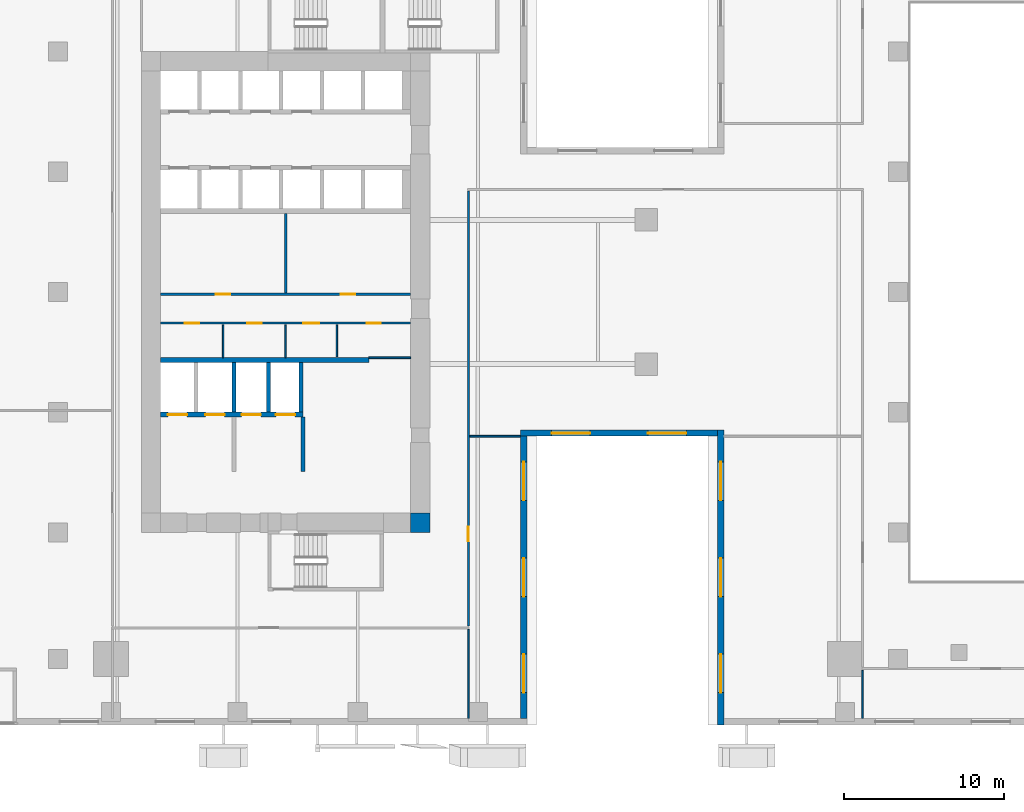
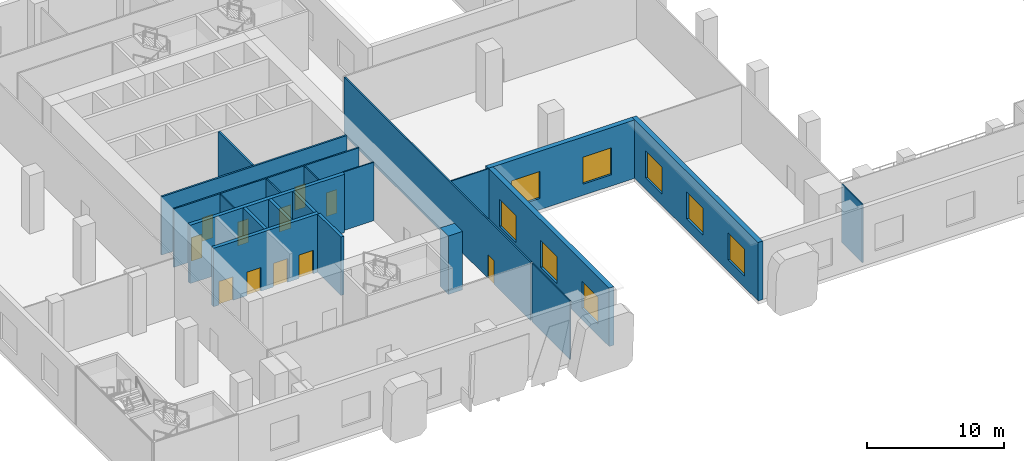
# One storey, part 11 of 23: 21 walls, 11 doors, 8 windows, 19 openings.
"""IFC4 building model written with IfcOpenShell, lengths in metres."""

import ifcopenshell
import ifcopenshell.guid

model = None  # the IFC model being written
_history = None  # IfcOwnerHistory: only IFC2X3 demands one
_inside = {}  # id of a spatial element -> (the spatial element, [elements in it])
_under = {}  # id of a project, library or spatial element -> (it, [spatial elements below it])
_declared = {}  # id of a project -> (the project, [libraries it declares])
_typed = {}  # id of a type object -> (the type object, [elements of that type])
_made_of = {}  # id of a material, layer set ... -> (it, [elements and type objects made of it])


def new_model(schema):
    """Start an empty IFC model of exactly this schema.

    Asked for "IFC4X3", IfcOpenShell would pick the latest addendum, in which some entities
    have other attributes; the version numbers below select the first issue.
    IFC2X3 requires an IfcOwnerHistory on every rooted entity: one is made here for all.
    """
    global model, _history
    if schema == "IFC4X3":
        model = ifcopenshell.file(schema_version=(4, 3, 0, 0))
    else:
        model = ifcopenshell.file(schema=schema)
    _inside.clear()
    _under.clear()
    _declared.clear()
    _typed.clear()
    _made_of.clear()
    _history = None
    if model.schema == "IFC2X3":
        org = make("IfcOrganization", Name="unknown")
        user = make(
            "IfcPersonAndOrganization",
            ThePerson=make("IfcPerson", FamilyName="unknown"),
            TheOrganization=org,
        )
        app = make(
            "IfcApplication",
            ApplicationDeveloper=org,
            Version="unknown",
            ApplicationFullName="unknown",
            ApplicationIdentifier="unknown",
        )
        _history = make(
            "IfcOwnerHistory",
            OwningUser=user,
            OwningApplication=app,
            ChangeAction="ADDED",
            CreationDate=0,
        )
    return model


def make(cls, **values):
    """One entity of the class cls with the attributes given. An attribute that is None is left unset."""
    return model.create_entity(
        cls, **{name: value for name, value in values.items() if value is not None}
    )


def rooted(cls, **values):
    """An entity with a GlobalId (a new one), such as an element, a storey or a relation."""
    return make(cls, GlobalId=ifcopenshell.guid.new(), OwnerHistory=_history, **values)


def si_unit(unit_type, name, prefix=None):
    """IfcSIUnit, for example si_unit("LENGTHUNIT", "METRE", prefix="MILLI")."""
    return make("IfcSIUnit", UnitType=unit_type, Prefix=prefix, Name=name)


def assignment(units):
    """IfcUnitAssignment: the units of a project."""
    return None if units is None else make("IfcUnitAssignment", Units=units)


def point(xyz):
    """IfcCartesianPoint."""
    return None if xyz is None else make("IfcCartesianPoint", Coordinates=xyz)


def direction(xyz):
    """IfcDirection."""
    return None if xyz is None else make("IfcDirection", DirectionRatios=xyz)


def frame(location, z_axis=None, x_axis=None):
    """IfcAxis2Placement3D, a coordinate frame: its origin and axes. An axis left out is left unset."""
    return make(
        "IfcAxis2Placement3D",
        Location=point(location),
        Axis=direction(z_axis),
        RefDirection=direction(x_axis),
    )


def frame_2d(location, x_axis=None):
    """IfcAxis2Placement2D, a coordinate frame in the plane: its origin and x axis."""
    return make(
        "IfcAxis2Placement2D", Location=point(location), RefDirection=direction(x_axis)
    )


def origin():
    """The frame at (0, 0, 0) with its axes left unset."""
    return frame((0.0, 0.0, 0.0))


def place(relative_to, where):
    """IfcLocalPlacement: puts the frame where relative to a parent placement (None: the world)."""
    return make(
        "IfcLocalPlacement", PlacementRelTo=relative_to, RelativePlacement=where
    )


def context(
    kind, dimensions, precision=None, world=None, true_north=None, identifier=None
):
    """IfcGeometricRepresentationContext, for example the 3D "Model" context."""
    return make(
        "IfcGeometricRepresentationContext",
        ContextIdentifier=identifier,
        ContextType=kind,
        CoordinateSpaceDimension=dimensions,
        Precision=precision,
        WorldCoordinateSystem=world,
        TrueNorth=true_north,
    )


def subcontext(parent, identifier, kind, view, scale=None):
    """IfcGeometricRepresentationSubContext, for example "Body" below "Model"."""
    return make(
        "IfcGeometricRepresentationSubContext",
        ContextIdentifier=identifier,
        ContextType=kind,
        ParentContext=parent,
        TargetScale=scale,
        TargetView=view,
    )


def project(units=None, contexts=None):
    """IfcProject with its units and contexts."""
    return rooted(
        "IfcProject",
        Name="project",
        RepresentationContexts=contexts,
        UnitsInContext=assignment(units),
    )


def spatial(cls, under=None, at=None, **own):
    """A site, building, storey or space (cls), placed at a placement, below another one or the project."""
    s = rooted(cls, ObjectPlacement=at, **own)
    if under is not None:
        _under.setdefault(under.id(), (under, []))[1].append(s)
    return s


def profile(cls, at=None, kind="AREA", **sizes):
    """A parametric profile (cls). Its sizes go by their IFC names, for example OverallWidth=200.0."""
    return make(cls, ProfileType=kind, Position=at, **sizes)


def rectangle(**sizes):
    """IfcRectangleProfileDef."""
    return profile("IfcRectangleProfileDef", **sizes)


def extrude(swept, where, along, depth):
    """IfcExtrudedAreaSolid: the profile swept, set in the frame where, extruded along a direction by depth."""
    return make(
        "IfcExtrudedAreaSolid",
        SweptArea=swept,
        Position=where,
        ExtrudedDirection=direction(along),
        Depth=depth,
    )


def shape(context_of_items, identifier, shape_type, items):
    """IfcShapeRepresentation: the items that make up one representation, for example the "Body"."""
    return make(
        "IfcShapeRepresentation",
        ContextOfItems=context_of_items,
        RepresentationIdentifier=identifier,
        RepresentationType=shape_type,
        Items=items,
    )


def source(mapping_origin, context_of_items, identifier, shape_type, items):
    """IfcRepresentationMap: a shape defined once, which mapped items show again and again."""
    return make(
        "IfcRepresentationMap",
        MappingOrigin=mapping_origin,
        MappedRepresentation=shape(context_of_items, identifier, shape_type, items),
    )


def transform(
    local_origin,
    x_axis=None,
    y_axis=None,
    z_axis=None,
    scale=None,
    scale2=None,
    scale3=None,
    uniform=True,
):
    """IfcCartesianTransformationOperator3D, or its non-uniform kind. x_axis, y_axis, z_axis: its Axis1, 2, 3."""
    if uniform:
        return make(
            "IfcCartesianTransformationOperator3D",
            Axis1=direction(x_axis),
            Axis2=direction(y_axis),
            LocalOrigin=point(local_origin),
            Scale=scale,
            Axis3=direction(z_axis),
        )
    return make(
        "IfcCartesianTransformationOperator3DnonUniform",
        Axis1=direction(x_axis),
        Axis2=direction(y_axis),
        LocalOrigin=point(local_origin),
        Scale=scale,
        Axis3=direction(z_axis),
        Scale2=scale2,
        Scale3=scale3,
    )


def mapped(mapping_source, mapping_target):
    """IfcMappedItem: shows the shape of a source again, moved by a transform."""
    return make(
        "IfcMappedItem", MappingSource=mapping_source, MappingTarget=mapping_target
    )


def material(Name=None, Category=None):
    """IfcMaterial."""
    return make("IfcMaterial", Name=Name, Category=Category)


def layer(
    of_material, thickness, ventilated=None, Name=None, Category=None, Priority=None
):
    """IfcMaterialLayer: one layer of a wall or slab, of a material (None: an air gap)."""
    return make(
        "IfcMaterialLayer",
        Material=of_material,
        LayerThickness=thickness,
        IsVentilated=ventilated,
        Name=Name,
        Category=Category,
        Priority=Priority,
    )


def layer_set(layers, Name=None):
    """IfcMaterialLayerSet."""
    return make("IfcMaterialLayerSet", MaterialLayers=layers, LayerSetName=Name)


def made_of(thing, what):
    """Note that an element or type object is made of a material, layer set ...; save() writes the relation."""
    if what is not None:
        _made_of.setdefault(what.id(), (what, []))[1].append(thing)
    return thing


def type_object(cls, material=None, **own):
    """A type object (cls), such as IfcWallType, which elements share."""
    return made_of(rooted(cls, **own), material)


def element(
    cls,
    number,
    at=None,
    inside=None,
    cuts=None,
    type_object=None,
    material=None,
    context=None,
    identifier="Body",
    shape_type=None,
    held_by="IfcProductDefinitionShape",
    body=None,
    shapes=None,
    **own,
):
    """One element of the class cls, such as IfcWall. Its Tag is "e" and its number.

    at: its placement. inside: the storey or other place that contains it. cuts: it is an
    opening in that element (IfcRelVoidsElement). A single representation is given by context,
    identifier, shape_type and body (its items); several are given by shapes. held_by: the class
    of the entity that holds the representations. save() writes the other relations.
    """
    e = rooted(cls, Tag="e%d" % number, ObjectPlacement=at, **own)
    if body is not None:
        shapes = [shape(context, identifier, shape_type, body)]
    if shapes is not None:
        e.Representation = make(held_by, Representations=shapes)
    if inside is not None:
        _inside.setdefault(inside.id(), (inside, []))[1].append(e)
    if cuts is not None:
        rooted(
            "IfcRelVoidsElement", RelatingBuildingElement=cuts, RelatedOpeningElement=e
        )
    if type_object is not None:
        _typed.setdefault(type_object.id(), (type_object, []))[1].append(e)
    return made_of(e, material)


def fill(opening, filler):
    """IfcRelFillsElement: the door or window that sits in an opening."""
    return rooted(
        "IfcRelFillsElement",
        RelatingOpeningElement=opening,
        RelatedBuildingElement=filler,
    )


def aggregate(whole, parts):
    """IfcRelAggregates: a whole, such as a stair, and the parts it consists of."""
    return rooted("IfcRelAggregates", RelatingObject=whole, RelatedObjects=parts)


def save(model, path):
    """Write the relations noted so far, then the file.

    IfcRelAggregates (storeys below a building ...), IfcRelContainedInSpatialStructure (elements
    in a storey), IfcRelDefinesByType, IfcRelAssociatesMaterial and IfcRelDeclares: one each for
    every whole, place, type object, material and project.
    """
    for whole, parts in _under.values():
        aggregate(whole, parts)
    for where, things in _inside.values():
        rooted(
            "IfcRelContainedInSpatialStructure",
            RelatedElements=things,
            RelatingStructure=where,
        )
    for kind, things in _typed.values():
        rooted("IfcRelDefinesByType", RelatedObjects=things, RelatingType=kind)
    for what, things in _made_of.values():
        rooted("IfcRelAssociatesMaterial", RelatedObjects=things, RelatingMaterial=what)
    for by, libraries in _declared.values():
        rooted("IfcRelDeclares", RelatingContext=by, RelatedDefinitions=libraries)
    model.write(path)


model = new_model("IFC4")

# Units and contexts
model_context = context("Model", 3, precision=1e-05, world=origin(), true_north=direction((0.0, 1.0)))
body_context = subcontext(model_context, "Body", "Model", "MODEL_VIEW")
ifc_project = project(units=[si_unit("LENGTHUNIT", "METRE"), si_unit("AREAUNIT", "SQUARE_METRE"), si_unit("VOLUMEUNIT", "CUBIC_METRE"), si_unit("PLANEANGLEUNIT", "RADIAN"), si_unit("MASSUNIT", "GRAM", prefix="KILO")], contexts=[model_context])

# Site, building, storey
site_placement = place(None, origin())
site = spatial("IfcSite", under=ifc_project, at=site_placement, CompositionType="ELEMENT")
building_placement = place(site_placement, origin())
building = spatial("IfcBuilding", under=site, at=building_placement, Name="Khomas Fold Tower", CompositionType="ELEMENT")
storey_placement = place(building_placement, frame((0.0, 0.0, 13.0)))
storey = spatial("IfcBuildingStorey", under=building, at=storey_placement, Name="L02", CompositionType="ELEMENT", Elevation=13.0)

# Walls
ifc_material_1 = material(Name="Concrete C70/85", Category="concrete")
ifc_layer_1 = layer(ifc_material_1, 1.199951171875)
ifc_layer_set_1 = layer_set([ifc_layer_1], Name="Concrete C70/85")
wall_type_1 = type_object("IfcWallType", Name="Core corner wall 1200", PredefinedType="SHEAR", material=ifc_layer_set_1)
shared_shape_1 = source(origin(), body_context, "Body", "SweptSolid", [
    extrude(rectangle(XDim=1.199951171875, YDim=1.199951171875, at=frame_2d((0.60009765625, 0.0))), origin(), (0.0, 0.0, 1.0), 5.199951171875),
])
wall_1_placement = place(storey_placement, frame((22.800048828125, 12.60009765625, 0.0), z_axis=(0.0, 0.0, 1.0), x_axis=(1.0, 0.0, 0.0)))
element("IfcWall", 1, at=wall_1_placement, inside=storey, type_object=wall_type_1, Name="Core wall CW-L-SE-B2", PredefinedType="SHEAR", context=body_context, shape_type="MappedRepresentation", body=[
    mapped(shared_shape_1, transform((0.0, 0.0, 0.0))),
])
ifc_material_2 = material(Name="Concrete C50/60", Category="concrete")
ifc_layer_2 = layer(ifc_material_2, 0.300048828125)
ifc_layer_set_2 = layer_set([ifc_layer_2], Name="Concrete C50/60")
wall_type_2 = type_object("IfcWallType", Name="Shaft wall 300", PredefinedType="STANDARD", material=ifc_layer_set_2)
shared_shape_2 = source(origin(), body_context, "Body", "SweptSolid", [
    extrude(rectangle(XDim=13.0, YDim=0.300048828125, at=frame_2d((6.5, 0.0))), origin(), (0.0, 0.0, 1.0), 5.199951171875),
])
wall_2_placement = place(storey_placement, frame((7.199951171875, 22.75, 0.0), z_axis=(0.0, 0.0, 1.0), x_axis=(1.0, 0.0, 0.0)))
element("IfcWall", 2, at=wall_2_placement, inside=storey, type_object=wall_type_2, Name="Core wall SW-FS-B", PredefinedType="STANDARD", context=body_context, shape_type="MappedRepresentation", body=[
    mapped(shared_shape_2, transform((0.0, 0.0, 0.0))),
])

# Wall, openings, doors
shared_shape_3 = source(origin(), body_context, "Body", "SweptSolid", [
    extrude(rectangle(XDim=8.875, YDim=0.300048828125, at=frame_2d((4.4375, 0.0))), origin(), (0.0, 0.0, 1.0), 5.199951171875),
])
wall_3_placement = place(storey_placement, frame((7.199951171875, 19.35009765625, 0.0), z_axis=(0.0, 0.0, 1.0), x_axis=(1.0, 0.0, 0.0)))
wall_3 = element("IfcWall", 3, at=wall_3_placement, inside=storey, type_object=wall_type_2, Name="Core wall SW-FS-F", PredefinedType="STANDARD", context=body_context, shape_type="MappedRepresentation", body=[
    mapped(shared_shape_3, transform((0.0, 0.0, 0.0))),
])
shared_shape_4 = source(origin(), body_context, "Body", "SweptSolid", [
    extrude(rectangle(XDim=1.199951171875, YDim=2.10009765625, at=frame_2d((0.60009765625, 1.050048828125))), frame((0.0, 0.159912109375, 0.0), z_axis=(0.0, -1.0, 0.0), x_axis=(1.0, 0.0, 0.0)), (0.0, 0.0, 1.0), 0.320068359375),
])
opening_1_placement = place(wall_3_placement, frame((0.449951171875, 0.0, 0.0)))
opening_1 = element("IfcOpeningElement", 4, at=opening_1_placement, cuts=wall_3, Name="Opening LD-SV1", PredefinedType="OPENING", context=body_context, shape_type="MappedRepresentation", body=[
    mapped(shared_shape_4, transform((0.0, 0.0, 0.0))),
])
opening_2_placement = place(wall_3_placement, frame((2.800048828125, 0.0, 0.0)))
opening_2 = element("IfcOpeningElement", 5, at=opening_2_placement, cuts=wall_3, Name="Opening LD-SV2", PredefinedType="OPENING", context=body_context, shape_type="MappedRepresentation", body=[
    mapped(shared_shape_4, transform((0.0, 0.0, 0.0))),
])
opening_3_placement = place(wall_3_placement, frame((5.050048828125, 0.0, 0.0)))
opening_3 = element("IfcOpeningElement", 6, at=opening_3_placement, cuts=wall_3, Name="Opening LD-FF1", PredefinedType="OPENING", context=body_context, shape_type="MappedRepresentation", body=[
    mapped(shared_shape_4, transform((0.0, 0.0, 0.0))),
])
opening_4_placement = place(wall_3_placement, frame((7.199951171875, 0.0, 0.0)))
opening_4 = element("IfcOpeningElement", 7, at=opening_4_placement, cuts=wall_3, Name="Opening LD-FF2", PredefinedType="OPENING", context=body_context, shape_type="MappedRepresentation", body=[
    mapped(shared_shape_4, transform((0.0, 0.0, 0.0))),
])
ifc_material_3 = material(Name="Steel door leaf", Category="steel")
door_type_1 = type_object("IfcDoorType", Name="Landing door 1200x2100", OperationType="DOUBLE_DOOR_SLIDING", PredefinedType="DOOR", material=ifc_material_3)
shared_shape_5 = source(origin(), body_context, "Body", "SweptSolid", [
    extrude(rectangle(XDim=1.199951171875, YDim=2.10009765625, at=frame_2d((0.60009765625, 1.050048828125))), frame((0.0, 0.02490234375, 0.0), z_axis=(0.0, -1.0, 0.0), x_axis=(1.0, 0.0, 0.0)), (0.0, 0.0, 1.0), 0.050048828125),
])
door_1_placement = place(opening_1_placement, origin())
door_1 = element("IfcDoor", 8, at=door_1_placement, inside=storey, type_object=door_type_1, Name="Lift landing door", OperationType="DOUBLE_DOOR_SLIDING", OverallHeight=2.10009765625, OverallWidth=1.199951171875, PredefinedType="DOOR", context=body_context, shape_type="MappedRepresentation", body=[
    mapped(shared_shape_5, transform((0.0, 0.0, 0.0))),
])
fill(opening_1, door_1)
door_2_placement = place(opening_2_placement, origin())
door_2 = element("IfcDoor", 9, at=door_2_placement, inside=storey, type_object=door_type_1, Name="Lift landing door", OperationType="DOUBLE_DOOR_SLIDING", OverallHeight=2.10009765625, OverallWidth=1.199951171875, PredefinedType="DOOR", context=body_context, shape_type="MappedRepresentation", body=[
    mapped(shared_shape_5, transform((0.0, 0.0, 0.0))),
])
fill(opening_2, door_2)
door_3_placement = place(opening_3_placement, origin())
door_3 = element("IfcDoor", 10, at=door_3_placement, inside=storey, type_object=door_type_1, Name="Lift landing door", OperationType="DOUBLE_DOOR_SLIDING", OverallHeight=2.10009765625, OverallWidth=1.199951171875, PredefinedType="DOOR", context=body_context, shape_type="MappedRepresentation", body=[
    mapped(shared_shape_5, transform((0.0, 0.0, 0.0))),
])
fill(opening_3, door_3)
door_4_placement = place(opening_4_placement, origin())
door_4 = element("IfcDoor", 11, at=door_4_placement, inside=storey, type_object=door_type_1, Name="Lift landing door", OperationType="DOUBLE_DOOR_SLIDING", OverallHeight=2.10009765625, OverallWidth=1.199951171875, PredefinedType="DOOR", context=body_context, shape_type="MappedRepresentation", body=[
    mapped(shared_shape_5, transform((0.0, 0.0, 0.0))),
])
fill(opening_4, door_4)

# Walls
ifc_material_4 = material(Name="Concrete C50/60", Category="concrete")
ifc_layer_3 = layer(ifc_material_4, 0.25)
ifc_layer_set_3 = layer_set([ifc_layer_3], Name="Concrete C50/60")
wall_type_3 = type_object("IfcWallType", Name="Shaft wall 250", PredefinedType="STANDARD", material=ifc_layer_set_3)
shared_shape_6 = source(origin(), body_context, "Body", "SweptSolid", [
    extrude(rectangle(XDim=3.10009765625, YDim=0.25, at=frame_2d((1.550048828125, 0.0))), origin(), (0.0, 0.0, 1.0), 5.199951171875),
])
for number, where, z_axis, x_axis, name in (
    (12, (11.77490234375, 19.5, 0.0), (0.0, 0.0, 1.0), (0.0, 1.0, 0.0), "Core wall SW-FS-P2"),
    (13, (13.925048828125, 19.5, 0.0), (0.0, 0.0, 1.0), (0.0, 1.0, 0.0), "Core wall SW-FS-P3"),
    (14, (15.949951171875, 19.5, 0.0), (0.0, 0.0, 1.0), (0.0, 1.0, 0.0), "Core wall SW-FS-PE"),
):
    element("IfcWall", number, at=place(storey_placement, frame(where, z_axis=z_axis, x_axis=x_axis)), inside=storey, type_object=wall_type_3, Name=name, PredefinedType="STANDARD", context=body_context, shape_type="MappedRepresentation", body=[
        mapped(shared_shape_6, transform((0.0, 0.0, 0.0))),
    ])
ifc_material_5 = material(Name="Concrete C50/60", Category="concrete")
ifc_layer_4 = layer(ifc_material_5, 0.25)
ifc_layer_set_4 = layer_set([ifc_layer_4], Name="Concrete C50/60")
wall_type_4 = type_object("IfcWallType", Name="Lobby wall 250", PredefinedType="STANDARD", material=ifc_layer_set_4)
shared_shape_7 = source(origin(), body_context, "Body", "SweptSolid", [
    extrude(rectangle(XDim=3.39990234375, YDim=0.25, at=frame_2d((1.699951171875, 0.0))), origin(), (0.0, 0.0, 1.0), 5.199951171875),
])
wall_4_placement = place(storey_placement, frame((16.074951171875, 15.800048828125, 0.0), z_axis=(0.0, 0.0, 1.0), x_axis=(0.0, 1.0, 0.0)))
element("IfcWall", 15, at=wall_4_placement, inside=storey, type_object=wall_type_4, Name="Core wall SW-FS-LOB-E", PredefinedType="STANDARD", context=body_context, shape_type="MappedRepresentation", body=[
    mapped(shared_shape_7, transform((0.0, 0.0, 0.0))),
])

# Wall, openings, windows
ifc_material_6 = material(Name="Concrete C40/50", Category="concrete")
ifc_layer_5 = layer(ifc_material_6, 0.39990234375)
ifc_layer_set_5 = layer_set([ifc_layer_5], Name="Concrete C40/50")
wall_type_5 = type_object("IfcWallType", Name="Stone-clad concrete wall 400", PredefinedType="SOLIDWALL", material=ifc_layer_set_5)
shared_shape_8 = source(origin(), body_context, "Body", "SweptSolid", [
    extrude(rectangle(XDim=17.60009765625, YDim=0.39990234375, at=frame_2d((8.800048828125, 0.0))), origin(), (0.0, 0.0, 1.0), 5.199951171875),
])
wall_5_placement = place(storey_placement, frame((29.85009765625, 0.39990234375, 0.0), z_axis=(0.0, 0.0, 1.0), x_axis=(0.0, 1.0, 0.0)))
wall_5 = element("IfcWall", 16, at=wall_5_placement, inside=storey, type_object=wall_type_5, Name="Podium wall", PredefinedType="SOLIDWALL", context=body_context, shape_type="MappedRepresentation", body=[
    mapped(shared_shape_8, transform((0.0, 0.0, 0.0))),
])
shared_shape_9 = source(origin(), body_context, "Body", "SweptSolid", [
    extrude(rectangle(XDim=2.39990234375, YDim=2.39990234375, at=frame_2d((1.199951171875, 1.199951171875))), frame((0.0, 0.2099609375, 0.0), z_axis=(0.0, -1.0, 0.0), x_axis=(1.0, 0.0, 0.0)), (0.0, 0.0, 1.0), 0.419921875),
])
opening_5_placement = place(wall_5_placement, frame((1.60009765625, 0.0, 1.0)))
opening_5 = element("IfcOpeningElement", 17, at=opening_5_placement, cuts=wall_5, Name="Opening PD-WN", PredefinedType="OPENING", context=body_context, shape_type="MappedRepresentation", body=[
    mapped(shared_shape_9, transform((0.0, 0.0, 0.0))),
])
opening_6_placement = place(wall_5_placement, frame((7.60009765625, 0.0, 1.0)))
opening_6 = element("IfcOpeningElement", 18, at=opening_6_placement, cuts=wall_5, Name="Opening PD-WN", PredefinedType="OPENING", context=body_context, shape_type="MappedRepresentation", body=[
    mapped(shared_shape_9, transform((0.0, 0.0, 0.0))),
])
opening_7_placement = place(wall_5_placement, frame((13.60009765625, 0.0, 1.0)))
opening_7 = element("IfcOpeningElement", 19, at=opening_7_placement, cuts=wall_5, Name="Opening PD-WN", PredefinedType="OPENING", context=body_context, shape_type="MappedRepresentation", body=[
    mapped(shared_shape_9, transform((0.0, 0.0, 0.0))),
])
ifc_material_7 = material(Name="Aluminium framed double glazing", Category="aluminium")
window_type = type_object("IfcWindowType", Name="Podium window 2400 x 2400", PartitioningType="SINGLE_PANEL", PredefinedType="WINDOW", material=ifc_material_7)
shared_shape_10 = source(origin(), body_context, "Body", "SweptSolid", [
    extrude(rectangle(XDim=2.39990234375, YDim=2.39990234375, at=frame_2d((1.199951171875, 1.199951171875))), frame((0.0, 0.030029296875, 0.0), z_axis=(0.0, -1.0, 0.0), x_axis=(1.0, 0.0, 0.0)), (0.0, 0.0, 1.0), 0.06005859375),
])
window_1_placement = place(opening_5_placement, origin())
window_1 = element("IfcWindow", 20, at=window_1_placement, inside=storey, type_object=window_type, Name="Podium window", OverallHeight=2.39990234375, OverallWidth=2.39990234375, PartitioningType="SINGLE_PANEL", PredefinedType="WINDOW", context=body_context, shape_type="MappedRepresentation", body=[
    mapped(shared_shape_10, transform((0.0, 0.0, 0.0))),
])
fill(opening_5, window_1)
window_2_placement = place(opening_6_placement, origin())
window_2 = element("IfcWindow", 21, at=window_2_placement, inside=storey, type_object=window_type, Name="Podium window", OverallHeight=2.39990234375, OverallWidth=2.39990234375, PartitioningType="SINGLE_PANEL", PredefinedType="WINDOW", context=body_context, shape_type="MappedRepresentation", body=[
    mapped(shared_shape_10, transform((0.0, 0.0, 0.0))),
])
fill(opening_6, window_2)
window_3_placement = place(opening_7_placement, origin())
window_3 = element("IfcWindow", 22, at=window_3_placement, inside=storey, type_object=window_type, Name="Podium window", OverallHeight=2.39990234375, OverallWidth=2.39990234375, PartitioningType="SINGLE_PANEL", PredefinedType="WINDOW", context=body_context, shape_type="MappedRepresentation", body=[
    mapped(shared_shape_10, transform((0.0, 0.0, 0.0))),
])
fill(opening_7, window_3)

shared_shape_11 = source(origin(), body_context, "Body", "SweptSolid", [
    extrude(rectangle(XDim=18.39990234375, YDim=0.39990234375, at=frame_2d((9.199951171875, 0.0))), origin(), (0.0, 0.0, 1.0), 5.199951171875),
])
wall_6_placement = place(storey_placement, frame((42.14990234375, 18.39990234375, 0.0), z_axis=(0.0, 0.0, 1.0), x_axis=(0.0, -1.0, 0.0)))
wall_6 = element("IfcWall", 23, at=wall_6_placement, inside=storey, type_object=wall_type_5, Name="Podium wall", PredefinedType="SOLIDWALL", context=body_context, shape_type="MappedRepresentation", body=[
    mapped(shared_shape_11, transform((0.0, 0.0, 0.0))),
])
opening_8_placement = place(wall_6_placement, frame((2.0, 0.0, 1.0)))
opening_8 = element("IfcOpeningElement", 24, at=opening_8_placement, cuts=wall_6, Name="Opening PD-WN", PredefinedType="OPENING", context=body_context, shape_type="MappedRepresentation", body=[
    mapped(shared_shape_9, transform((0.0, 0.0, 0.0))),
])
opening_9_placement = place(wall_6_placement, frame((8.0, 0.0, 1.0)))
opening_9 = element("IfcOpeningElement", 25, at=opening_9_placement, cuts=wall_6, Name="Opening PD-WN", PredefinedType="OPENING", context=body_context, shape_type="MappedRepresentation", body=[
    mapped(shared_shape_9, transform((0.0, 0.0, 0.0))),
])
opening_10_placement = place(wall_6_placement, frame((14.0, 0.0, 1.0)))
opening_10 = element("IfcOpeningElement", 26, at=opening_10_placement, cuts=wall_6, Name="Opening PD-WN", PredefinedType="OPENING", context=body_context, shape_type="MappedRepresentation", body=[
    mapped(shared_shape_9, transform((0.0, 0.0, 0.0))),
])
window_4_placement = place(opening_8_placement, origin())
window_4 = element("IfcWindow", 27, at=window_4_placement, inside=storey, type_object=window_type, Name="Podium window", OverallHeight=2.39990234375, OverallWidth=2.39990234375, PartitioningType="SINGLE_PANEL", PredefinedType="WINDOW", context=body_context, shape_type="MappedRepresentation", body=[
    mapped(shared_shape_10, transform((0.0, 0.0, 0.0))),
])
fill(opening_8, window_4)
window_5_placement = place(opening_9_placement, origin())
window_5 = element("IfcWindow", 28, at=window_5_placement, inside=storey, type_object=window_type, Name="Podium window", OverallHeight=2.39990234375, OverallWidth=2.39990234375, PartitioningType="SINGLE_PANEL", PredefinedType="WINDOW", context=body_context, shape_type="MappedRepresentation", body=[
    mapped(shared_shape_10, transform((0.0, 0.0, 0.0))),
])
fill(opening_9, window_5)
window_6_placement = place(opening_10_placement, origin())
window_6 = element("IfcWindow", 29, at=window_6_placement, inside=storey, type_object=window_type, Name="Podium window", OverallHeight=2.39990234375, OverallWidth=2.39990234375, PartitioningType="SINGLE_PANEL", PredefinedType="WINDOW", context=body_context, shape_type="MappedRepresentation", body=[
    mapped(shared_shape_10, transform((0.0, 0.0, 0.0))),
])
fill(opening_10, window_6)

shared_shape_12 = source(origin(), body_context, "Body", "SweptSolid", [
    extrude(rectangle(XDim=12.300048828125, YDim=0.39990234375, at=frame_2d((6.14990234375, 0.0))), origin(), (0.0, 0.0, 1.0), 5.199951171875),
])
wall_7_placement = place(storey_placement, frame((29.64990234375, 18.199951171875, 0.0), z_axis=(0.0, 0.0, 1.0), x_axis=(1.0, 0.0, 0.0)))
wall_7 = element("IfcWall", 30, at=wall_7_placement, inside=storey, type_object=wall_type_5, Name="Podium wall", PredefinedType="SOLIDWALL", context=body_context, shape_type="MappedRepresentation", body=[
    mapped(shared_shape_12, transform((0.0, 0.0, 0.0))),
])
opening_11_placement = place(wall_7_placement, frame((1.949951171875, 0.0, 1.0)))
opening_11 = element("IfcOpeningElement", 31, at=opening_11_placement, cuts=wall_7, Name="Opening PD-WN", PredefinedType="OPENING", context=body_context, shape_type="MappedRepresentation", body=[
    mapped(shared_shape_9, transform((0.0, 0.0, 0.0))),
])
opening_12_placement = place(wall_7_placement, frame((7.949951171875, 0.0, 1.0)))
opening_12 = element("IfcOpeningElement", 32, at=opening_12_placement, cuts=wall_7, Name="Opening PD-WN", PredefinedType="OPENING", context=body_context, shape_type="MappedRepresentation", body=[
    mapped(shared_shape_9, transform((0.0, 0.0, 0.0))),
])
window_7_placement = place(opening_11_placement, origin())
window_7 = element("IfcWindow", 33, at=window_7_placement, inside=storey, type_object=window_type, Name="Podium window", OverallHeight=2.39990234375, OverallWidth=2.39990234375, PartitioningType="SINGLE_PANEL", PredefinedType="WINDOW", context=body_context, shape_type="MappedRepresentation", body=[
    mapped(shared_shape_10, transform((0.0, 0.0, 0.0))),
])
fill(opening_11, window_7)
window_8_placement = place(opening_12_placement, origin())
window_8 = element("IfcWindow", 34, at=window_8_placement, inside=storey, type_object=window_type, Name="Podium window", OverallHeight=2.39990234375, OverallWidth=2.39990234375, PartitioningType="SINGLE_PANEL", PredefinedType="WINDOW", context=body_context, shape_type="MappedRepresentation", body=[
    mapped(shared_shape_10, transform((0.0, 0.0, 0.0))),
])
fill(opening_12, window_8)

# Walls
ifc_material_8 = material(Name="Plasterboard partition")
ifc_layer_6 = layer(ifc_material_8, 0.10009765625)
ifc_layer_set_6 = layer_set([ifc_layer_6], Name="Plasterboard partition")
wall_type_6 = type_object("IfcWallType", Name="Partition PW1 100", PredefinedType="PARTITIONING", material=ifc_layer_set_6)
shared_shape_13 = source(origin(), body_context, "Body", "SweptSolid", [
    extrude(rectangle(XDim=5.550048828125, YDim=0.10009765625, at=frame_2d((2.77490234375, 0.0))), origin(), (0.0, 0.0, 1.0), 5.199951171875),
])
wall_8_placement = place(storey_placement, frame((26.39990234375, 0.39990234375, 0.0), z_axis=(0.0, 0.0, 1.0), x_axis=(0.0, 1.0, 0.0)))
element("IfcWall", 35, at=wall_8_placement, inside=storey, type_object=wall_type_6, Name="Partition", PredefinedType="PARTITIONING", context=body_context, shape_type="MappedRepresentation", body=[
    mapped(shared_shape_13, transform((0.0, 0.0, 0.0))),
])
shared_shape_14 = source(origin(), body_context, "Body", "SweptSolid", [
    extrude(rectangle(XDim=3.0, YDim=0.10009765625, at=frame_2d((1.5, 0.0))), origin(), (0.0, 0.0, 1.0), 5.199951171875),
])
wall_9_placement = place(storey_placement, frame((51.0, 0.39990234375, 0.0), z_axis=(0.0, 0.0, 1.0), x_axis=(0.0, 1.0, 0.0)))
element("IfcWall", 36, at=wall_9_placement, inside=storey, type_object=wall_type_6, Name="Partition", PredefinedType="PARTITIONING", context=body_context, shape_type="MappedRepresentation", body=[
    mapped(shared_shape_14, transform((0.0, 0.0, 0.0))),
])

# Wall, opening, door
ifc_material_9 = material(Name="Plasterboard partition")
ifc_layer_7 = layer(ifc_material_9, 0.125)
ifc_layer_set_7 = layer_set([ifc_layer_7], Name="Plasterboard partition")
wall_type_7 = type_object("IfcWallType", Name="Partition PW2 125", PredefinedType="PARTITIONING", material=ifc_layer_set_7)
shared_shape_15 = source(origin(), body_context, "Body", "SweptSolid", [
    extrude(rectangle(XDim=27.150146484375, YDim=0.125, at=frame_2d((13.5751953125, 0.0))), origin(), (0.0, 0.0, 1.0), 5.199951171875),
])
wall_10_placement = place(storey_placement, frame((26.39990234375, 6.14990234375, 0.0), z_axis=(0.0, 0.0, 1.0), x_axis=(0.0, 1.0, 0.0)))
wall_10 = element("IfcWall", 37, at=wall_10_placement, inside=storey, type_object=wall_type_7, Name="Partition", PredefinedType="PARTITIONING", context=body_context, shape_type="MappedRepresentation", body=[
    mapped(shared_shape_15, transform((0.0, 0.0, 0.0))),
])
shared_shape_16 = source(origin(), body_context, "Body", "SweptSolid", [
    extrude(rectangle(XDim=0.89990234375, YDim=2.10009765625, at=frame_2d((0.449951171875, 1.050048828125))), frame((0.0, 0.072509765625, 0.0), z_axis=(0.0, -1.0, 0.0), x_axis=(1.0, 0.0, 0.0)), (0.0, 0.0, 1.0), 0.14501953125),
])
opening_13_placement = place(wall_10_placement, frame((5.300048828125, 0.0, 0.0)))
opening_13 = element("IfcOpeningElement", 38, at=opening_13_placement, cuts=wall_10, Name="Opening 0007", PredefinedType="OPENING", context=body_context, shape_type="MappedRepresentation", body=[
    mapped(shared_shape_16, transform((0.0, 0.0, 0.0))),
])
ifc_material_10 = material(Name="Timber door leaf", Category="wood")
door_type_2 = type_object("IfcDoorType", Name="Door 900x2100 left-hand", OperationType="SINGLE_SWING_LEFT", PredefinedType="DOOR", material=ifc_material_10)
shared_shape_17 = source(origin(), body_context, "Body", "SweptSolid", [
    extrude(rectangle(XDim=0.89990234375, YDim=2.10009765625, at=frame_2d((0.449951171875, 1.050048828125))), frame((0.0, 0.02490234375, 0.0), z_axis=(0.0, -1.0, 0.0), x_axis=(1.0, 0.0, 0.0)), (0.0, 0.0, 1.0), 0.050048828125),
])
door_5_placement = place(opening_13_placement, origin())
door_5 = element("IfcDoor", 39, at=door_5_placement, inside=storey, type_object=door_type_2, Name="Door", OperationType="SINGLE_SWING_LEFT", OverallHeight=2.10009765625, OverallWidth=0.89990234375, PredefinedType="DOOR", context=body_context, shape_type="MappedRepresentation", body=[
    mapped(shared_shape_17, transform((0.0, 0.0, 0.0))),
])
fill(opening_13, door_5)

# Wall
shared_shape_18 = source(origin(), body_context, "Body", "SweptSolid", [
    extrude(rectangle(XDim=2.60009765625, YDim=0.10009765625, at=frame_2d((1.300048828125, 0.0))), origin(), (0.0, 0.0, 1.0), 5.199951171875),
])
wall_11_placement = place(storey_placement, frame((20.199951171875, 22.89990234375, 0.0), z_axis=(0.0, 0.0, 1.0), x_axis=(1.0, 0.0, 0.0)))
element("IfcWall", 40, at=wall_11_placement, inside=storey, type_object=wall_type_6, Name="Partition", PredefinedType="PARTITIONING", context=body_context, shape_type="MappedRepresentation", body=[
    mapped(shared_shape_18, transform((0.0, 0.0, 0.0))),
])

# Wall, openings, doors
shared_shape_19 = source(origin(), body_context, "Body", "SweptSolid", [
    extrude(rectangle(XDim=15.60009765625, YDim=0.125, at=frame_2d((7.800048828125, 0.0))), origin(), (0.0, 0.0, 1.0), 5.199951171875),
])
wall_12_placement = place(storey_placement, frame((7.199951171875, 25.050048828125, 0.0), z_axis=(0.0, 0.0, 1.0), x_axis=(1.0, 0.0, 0.0)))
wall_12 = element("IfcWall", 41, at=wall_12_placement, inside=storey, type_object=wall_type_7, Name="Partition", PredefinedType="PARTITIONING", context=body_context, shape_type="MappedRepresentation", body=[
    mapped(shared_shape_19, transform((0.0, 0.0, 0.0))),
])
opening_14_placement = place(wall_12_placement, frame((1.5, 0.0, 0.0)))
opening_14 = element("IfcOpeningElement", 42, at=opening_14_placement, cuts=wall_12, Name="Opening 0005", PredefinedType="OPENING", context=body_context, shape_type="MappedRepresentation", body=[
    mapped(shared_shape_16, transform((0.0, 0.0, 0.0))),
])
opening_15_placement = place(wall_12_placement, frame((5.39990234375, 0.0, 0.0)))
opening_15 = element("IfcOpeningElement", 43, at=opening_15_placement, cuts=wall_12, Name="Opening 0004", PredefinedType="OPENING", context=body_context, shape_type="MappedRepresentation", body=[
    mapped(shared_shape_16, transform((0.0, 0.0, 0.0))),
])
shared_shape_20 = source(origin(), body_context, "Body", "SweptSolid", [
    extrude(rectangle(XDim=1.0, YDim=2.10009765625, at=frame_2d((0.5, 1.050048828125))), frame((0.0, 0.072509765625, 0.0), z_axis=(0.0, -1.0, 0.0), x_axis=(1.0, 0.0, 0.0)), (0.0, 0.0, 1.0), 0.14501953125),
])
opening_16_placement = place(wall_12_placement, frame((8.89990234375, 0.0, 0.0)))
opening_16 = element("IfcOpeningElement", 44, at=opening_16_placement, cuts=wall_12, Name="Opening 0014", PredefinedType="OPENING", context=body_context, shape_type="MappedRepresentation", body=[
    mapped(shared_shape_20, transform((0.0, 0.0, 0.0))),
])
opening_17_placement = place(wall_12_placement, frame((12.85009765625, 0.0, 0.0)))
opening_17 = element("IfcOpeningElement", 45, at=opening_17_placement, cuts=wall_12, Name="Opening 0008", PredefinedType="OPENING", context=body_context, shape_type="MappedRepresentation", body=[
    mapped(shared_shape_16, transform((0.0, 0.0, 0.0))),
])
ifc_material_11 = material(Name="Timber door leaf", Category="wood")
door_type_3 = type_object("IfcDoorType", Name="WC door 900x2100 left-hand", OperationType="SINGLE_SWING_LEFT", PredefinedType="DOOR", material=ifc_material_11)
door_6_placement = place(opening_14_placement, origin())
door_6 = element("IfcDoor", 46, at=door_6_placement, inside=storey, type_object=door_type_3, Name="WC door", OperationType="SINGLE_SWING_LEFT", OverallHeight=2.10009765625, OverallWidth=0.89990234375, PredefinedType="DOOR", context=body_context, shape_type="MappedRepresentation", body=[
    mapped(shared_shape_17, transform((0.0, 0.0, 0.0))),
])
fill(opening_14, door_6)
ifc_material_12 = material(Name="Timber door leaf", Category="wood")
door_type_4 = type_object("IfcDoorType", Name="WC door 900x2100 right-hand", OperationType="SINGLE_SWING_RIGHT", PredefinedType="DOOR", material=ifc_material_12)
door_7_placement = place(opening_15_placement, origin())
door_7 = element("IfcDoor", 47, at=door_7_placement, inside=storey, type_object=door_type_4, Name="WC door", OperationType="SINGLE_SWING_RIGHT", OverallHeight=2.10009765625, OverallWidth=0.89990234375, PredefinedType="DOOR", context=body_context, shape_type="MappedRepresentation", body=[
    mapped(shared_shape_17, transform((0.0, 0.0, 0.0))),
])
fill(opening_15, door_7)
ifc_material_13 = material(Name="Timber door leaf", Category="wood")
door_type_5 = type_object("IfcDoorType", Name="Door 900x2100 right-hand", OperationType="SINGLE_SWING_RIGHT", PredefinedType="DOOR", material=ifc_material_13)
door_8_placement = place(opening_17_placement, origin())
door_8 = element("IfcDoor", 48, at=door_8_placement, inside=storey, type_object=door_type_5, Name="Door", OperationType="SINGLE_SWING_RIGHT", OverallHeight=2.10009765625, OverallWidth=0.89990234375, PredefinedType="DOOR", context=body_context, shape_type="MappedRepresentation", body=[
    mapped(shared_shape_17, transform((0.0, 0.0, 0.0))),
])
fill(opening_17, door_8)
ifc_material_14 = material(Name="Timber door leaf", Category="wood")
door_type_6 = type_object("IfcDoorType", Name="WC door 1000x2100 left-hand", OperationType="SINGLE_SWING_LEFT", PredefinedType="DOOR", material=ifc_material_14)
shared_shape_21 = source(origin(), body_context, "Body", "SweptSolid", [
    extrude(rectangle(XDim=1.0, YDim=2.10009765625, at=frame_2d((0.5, 1.050048828125))), frame((0.0, 0.02490234375, 0.0), z_axis=(0.0, -1.0, 0.0), x_axis=(1.0, 0.0, 0.0)), (0.0, 0.0, 1.0), 0.050048828125),
])
door_9_placement = place(opening_16_placement, origin())
door_9 = element("IfcDoor", 49, at=door_9_placement, inside=storey, type_object=door_type_6, Name="WC door", OperationType="SINGLE_SWING_LEFT", OverallHeight=2.10009765625, OverallWidth=1.0, PredefinedType="DOOR", context=body_context, shape_type="MappedRepresentation", body=[
    mapped(shared_shape_21, transform((0.0, 0.0, 0.0))),
])
fill(opening_16, door_9)

# Walls
shared_shape_22 = source(origin(), body_context, "Body", "SweptSolid", [
    extrude(rectangle(XDim=3.14990234375, YDim=0.10009765625, at=frame_2d((1.574951171875, 0.0))), origin(), (0.0, 0.0, 1.0), 5.199951171875),
])
wall_13_placement = place(storey_placement, frame((26.5, 18.0, 0.0), z_axis=(0.0, 0.0, 1.0), x_axis=(1.0, 0.0, 0.0)))
element("IfcWall", 50, at=wall_13_placement, inside=storey, type_object=wall_type_6, Name="Partition", PredefinedType="PARTITIONING", context=body_context, shape_type="MappedRepresentation", body=[
    mapped(shared_shape_22, transform((0.0, 0.0, 0.0))),
])
shared_shape_23 = source(origin(), body_context, "Body", "SweptSolid", [
    extrude(rectangle(XDim=2.050048828125, YDim=0.10009765625, at=frame_2d((1.02490234375, 0.0))), origin(), (0.0, 0.0, 1.0), 5.199951171875),
])
for number, where, z_axis, x_axis, name in (
    (51, (11.10009765625, 22.89990234375, 0.0), (0.0, 0.0, 1.0), (0.0, 1.0, 0.0), "Partition"),
    (52, (15.0, 22.89990234375, 0.0), (0.0, 0.0, 1.0), (0.0, 1.0, 0.0), "Partition"),
):
    element("IfcWall", number, at=place(storey_placement, frame(where, z_axis=z_axis, x_axis=x_axis)), inside=storey, type_object=wall_type_6, Name=name, PredefinedType="PARTITIONING", context=body_context, shape_type="MappedRepresentation", body=[
        mapped(shared_shape_23, transform((0.0, 0.0, 0.0))),
    ])
shared_shape_24 = source(origin(), body_context, "Body", "SweptSolid", [
    extrude(rectangle(XDim=2.0, YDim=0.10009765625, at=frame_2d((1.0, 0.0))), origin(), (0.0, 0.0, 1.0), 5.199951171875),
])
wall_14_placement = place(storey_placement, frame((18.199951171875, 22.949951171875, 0.0), z_axis=(0.0, 0.0, 1.0), x_axis=(0.0, 1.0, 0.0)))
element("IfcWall", 53, at=wall_14_placement, inside=storey, type_object=wall_type_6, Name="Partition", PredefinedType="PARTITIONING", context=body_context, shape_type="MappedRepresentation", body=[
    mapped(shared_shape_24, transform((0.0, 0.0, 0.0))),
])

# Wall, openings, doors
ifc_material_15 = material(Name="Plasterboard fire partition")
ifc_layer_8 = layer(ifc_material_15, 0.14990234375)
ifc_layer_set_8 = layer_set([ifc_layer_8], Name="Plasterboard fire partition")
wall_type_8 = type_object("IfcWallType", Name="Plant room wall PW3 150", PredefinedType="PARTITIONING", material=ifc_layer_set_8)
shared_shape_25 = source(origin(), body_context, "Body", "SweptSolid", [
    extrude(rectangle(XDim=15.60009765625, YDim=0.14990234375, at=frame_2d((7.800048828125, 0.0))), origin(), (0.0, 0.0, 1.0), 5.199951171875),
])
wall_15_placement = place(storey_placement, frame((7.199951171875, 26.85009765625, 0.0), z_axis=(0.0, 0.0, 1.0), x_axis=(1.0, 0.0, 0.0)))
wall_15 = element("IfcWall", 54, at=wall_15_placement, inside=storey, type_object=wall_type_8, Name="Plant room wall", PredefinedType="PARTITIONING", context=body_context, shape_type="MappedRepresentation", body=[
    mapped(shared_shape_25, transform((0.0, 0.0, 0.0))),
])
shared_shape_26 = source(origin(), body_context, "Body", "SweptSolid", [
    extrude(rectangle(XDim=0.89990234375, YDim=2.10009765625, at=frame_2d((0.449951171875, 1.050048828125))), frame((0.0, 0.0849609375, 0.0), z_axis=(0.0, -1.0, 0.0), x_axis=(1.0, 0.0, 0.0)), (0.0, 0.0, 1.0), 0.169921875),
])
opening_18_placement = place(wall_15_placement, frame((3.449951171875, 0.0, 0.0)))
opening_18 = element("IfcOpeningElement", 55, at=opening_18_placement, cuts=wall_15, Name="Opening 0003", PredefinedType="OPENING", context=body_context, shape_type="MappedRepresentation", body=[
    mapped(shared_shape_26, transform((0.0, 0.0, 0.0))),
])
opening_19_placement = place(wall_15_placement, frame((11.25, 0.0, 0.0)))
opening_19 = element("IfcOpeningElement", 56, at=opening_19_placement, cuts=wall_15, Name="Opening 0002", PredefinedType="OPENING", context=body_context, shape_type="MappedRepresentation", body=[
    mapped(shared_shape_26, transform((0.0, 0.0, 0.0))),
])
ifc_material_16 = material(Name="Steel door leaf", Category="steel")
door_type_7 = type_object("IfcDoorType", Name="Plant room door 900x2100 right-hand", OperationType="SINGLE_SWING_RIGHT", PredefinedType="DOOR", material=ifc_material_16)
door_10_placement = place(opening_18_placement, origin())
door_10 = element("IfcDoor", 57, at=door_10_placement, inside=storey, type_object=door_type_7, Name="Plant room door", OperationType="SINGLE_SWING_RIGHT", OverallHeight=2.10009765625, OverallWidth=0.89990234375, PredefinedType="DOOR", context=body_context, shape_type="MappedRepresentation", body=[
    mapped(shared_shape_17, transform((0.0, 0.0, 0.0))),
])
fill(opening_18, door_10)
ifc_material_17 = material(Name="Steel door leaf", Category="steel")
door_type_8 = type_object("IfcDoorType", Name="Plant room door 900x2100 left-hand", OperationType="SINGLE_SWING_LEFT", PredefinedType="DOOR", material=ifc_material_17)
door_11_placement = place(opening_19_placement, origin())
door_11 = element("IfcDoor", 58, at=door_11_placement, inside=storey, type_object=door_type_8, Name="Plant room door", OperationType="SINGLE_SWING_LEFT", OverallHeight=2.10009765625, OverallWidth=0.89990234375, PredefinedType="DOOR", context=body_context, shape_type="MappedRepresentation", body=[
    mapped(shared_shape_17, transform((0.0, 0.0, 0.0))),
])
fill(opening_19, door_11)

# Wall
shared_shape_27 = source(origin(), body_context, "Body", "SweptSolid", [
    extrude(rectangle(XDim=4.949951171875, YDim=0.14990234375, at=frame_2d((2.47509765625, 0.0))), origin(), (0.0, 0.0, 1.0), 5.199951171875),
])
wall_16_placement = place(storey_placement, frame((15.0, 26.949951171875, 0.0), z_axis=(0.0, 0.0, 1.0), x_axis=(0.0, 1.0, 0.0)))
element("IfcWall", 59, at=wall_16_placement, inside=storey, type_object=wall_type_8, Name="Plant room wall", PredefinedType="PARTITIONING", context=body_context, shape_type="MappedRepresentation", body=[
    mapped(shared_shape_27, transform((0.0, 0.0, 0.0))),
])

save(model, "model.ifc")
